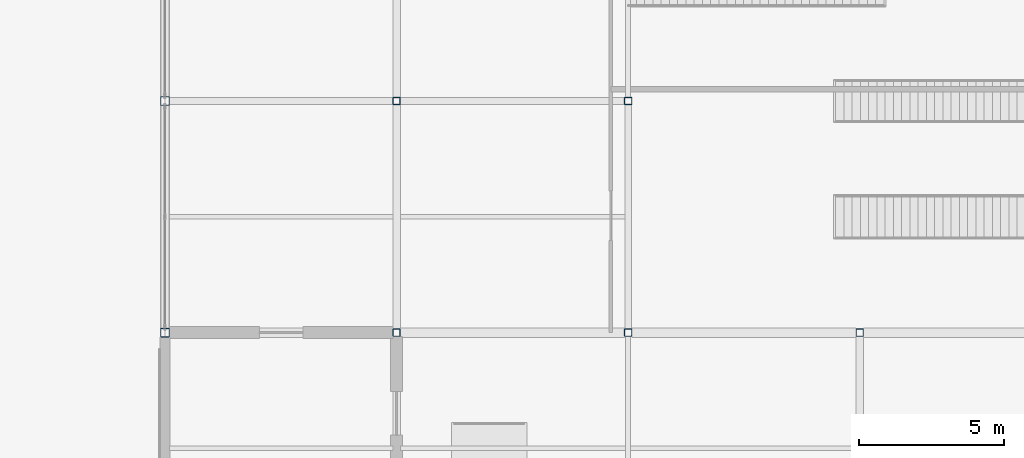
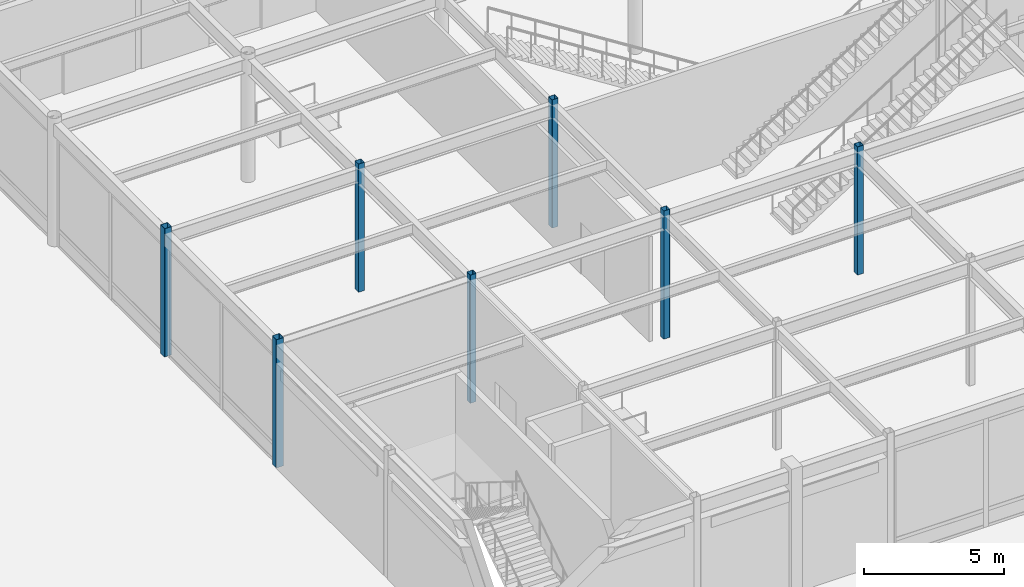
# One storey, part 2 of 128: 7 columns.
"""IFC4 building model written with IfcOpenShell, lengths in metres."""

from ifc_helpers import new_model, si_unit, direction, frame, origin, origin_2d, place, context, subcontext, project, spatial, hollow_rectangle, extrude, material, material_profile, profile_set, type_object, element, save


model = new_model("IFC4")

# Units and contexts
model_context = context("Model", 3, precision=1e-05, world=origin(), true_north=direction((0.0, 1.0)))
body_context = subcontext(model_context, "Body", "Model", "MODEL_VIEW")
ifc_project = project(units=[si_unit("LENGTHUNIT", "METRE"), si_unit("AREAUNIT", "SQUARE_METRE"), si_unit("VOLUMEUNIT", "CUBIC_METRE"), si_unit("PLANEANGLEUNIT", "RADIAN"), si_unit("MASSUNIT", "GRAM", prefix="KILO")], contexts=[model_context])

# Site, building, storey
site_placement = place(None, origin())
site = spatial("IfcSite", under=ifc_project, at=site_placement, CompositionType="ELEMENT")
building_placement = place(site_placement, origin())
building = spatial("IfcBuilding", under=site, at=building_placement, Name="Solmirada Galleria", CompositionType="ELEMENT")
storey_placement = place(building_placement, origin())
storey = spatial("IfcBuildingStorey", under=building, at=storey_placement, Name="L00", CompositionType="ELEMENT", Elevation=0.0)

# Columns
ifc_material = material(Name="Steel S355 / ASTM A500 Grade C", Category="steel")
ifc_material_profile_1 = material_profile(ifc_material, hollow_rectangle(XDim=0.25390625, YDim=0.25390625, WallThickness=0.0087890625, InnerFilletRadius=0.0087890625, OuterFilletRadius=0.017822265625, at=origin_2d()), Name="HSS10X10X3/8")
ifc_profile_set_1 = profile_set([ifc_material_profile_1], Name="Steel S355 / ASTM A500 Grade C")
column_type_1 = type_object("IfcColumnType", Name="COL-HSS10", PredefinedType="COLUMN", material=ifc_profile_set_1)
for number, where, z_axis, x_axis, name in (
    (1, (48.0, 16.0, 0.0), (0.0, 0.0, 1.0), (1.0, 0.0, 0.0), "Structural column L00-0087"),
    (2, (48.0, 24.0, 0.0), (0.0, 0.0, 1.0), (1.0, 0.0, 0.0), "Structural column L00-0090"),
    (3, (56.0, 16.0, 0.0), (0.0, 0.0, 1.0), (1.0, 0.0, 0.0), "Structural column L00-0154"),
    (4, (56.0, 24.0, 0.0), (0.0, 0.0, 1.0), (1.0, 0.0, 0.0), "Structural column L00-0157"),
    (5, (64.0, 16.0, 0.0), (0.0, 0.0, 1.0), (1.0, 0.0, 0.0), "Structural column L00-0221"),
):
    element("IfcColumn", number, at=place(storey_placement, frame(where, z_axis=z_axis, x_axis=x_axis)), inside=storey, type_object=column_type_1, Name=name, PredefinedType="COLUMN", context=body_context, shape_type="SweptSolid", body=[
        extrude(hollow_rectangle(XDim=0.25390625, YDim=0.25390625, WallThickness=0.0087890625, InnerFilletRadius=0.0087890625, OuterFilletRadius=0.017822265625, at=origin_2d()), origin(), (0.0, 0.0, 1.0), 5.60009765625),
    ])
ifc_material_profile_2 = material_profile(ifc_material, hollow_rectangle(XDim=0.304931640625, YDim=0.304931640625, WallThickness=0.01171875, InnerFilletRadius=0.01171875, OuterFilletRadius=0.023681640625, at=origin_2d()), Name="HSS12X12X1/2")
ifc_profile_set_2 = profile_set([ifc_material_profile_2], Name="Steel S355 / ASTM A500 Grade C")
column_type_2 = type_object("IfcColumnType", Name="COL-HSS12", PredefinedType="COLUMN", material=ifc_profile_set_2)
for number, where, z_axis, x_axis, name in (
    (6, (40.0, 16.0, 0.0), (0.0, 0.0, 1.0), (1.0, 0.0, 0.0), "Structural column L00-0024"),
    (7, (40.0, 24.0, 0.0), (0.0, 0.0, 1.0), (1.0, 0.0, 0.0), "Structural column L00-0027"),
):
    element("IfcColumn", number, at=place(storey_placement, frame(where, z_axis=z_axis, x_axis=x_axis)), inside=storey, type_object=column_type_2, Name=name, PredefinedType="COLUMN", context=body_context, shape_type="SweptSolid", body=[
        extrude(hollow_rectangle(XDim=0.304931640625, YDim=0.304931640625, WallThickness=0.01171875, InnerFilletRadius=0.01171875, OuterFilletRadius=0.023681640625, at=origin_2d()), origin(), (0.0, 0.0, 1.0), 5.60009765625),
    ])

save(model, "model.ifc")
